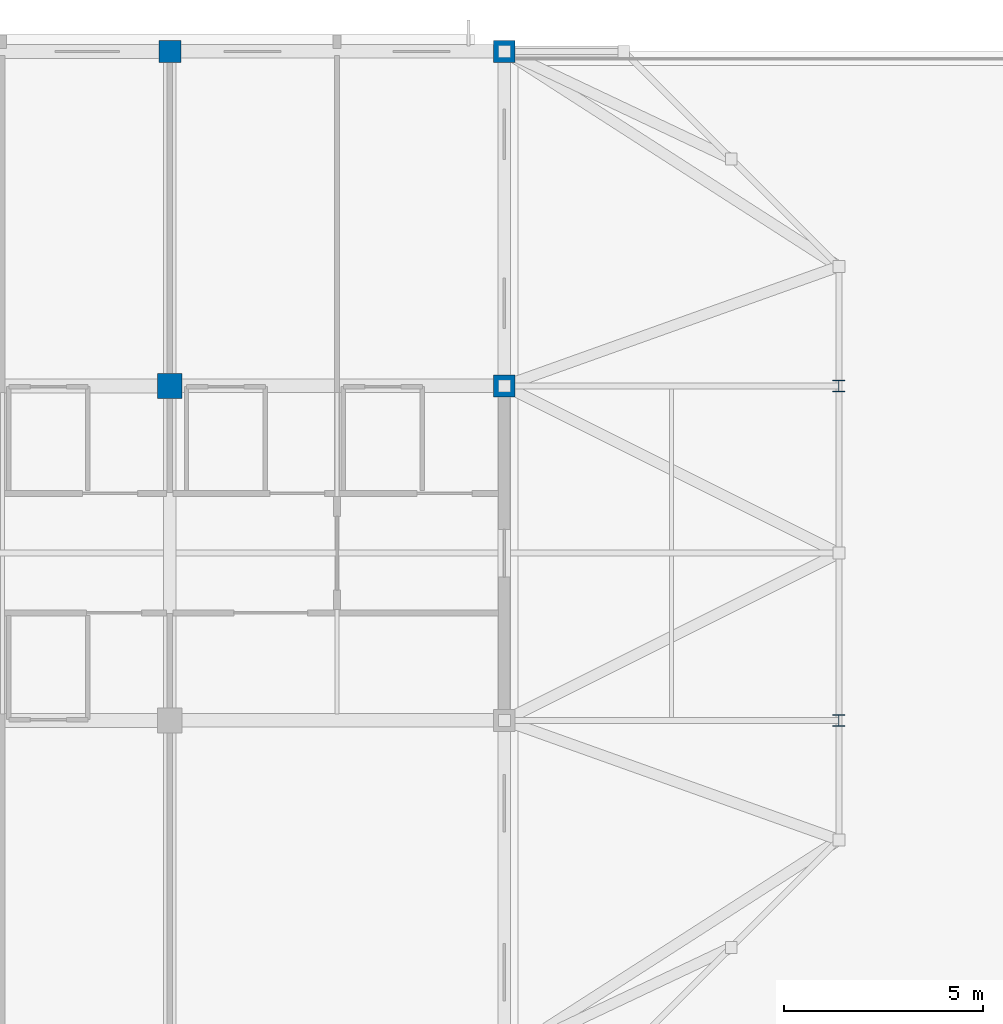
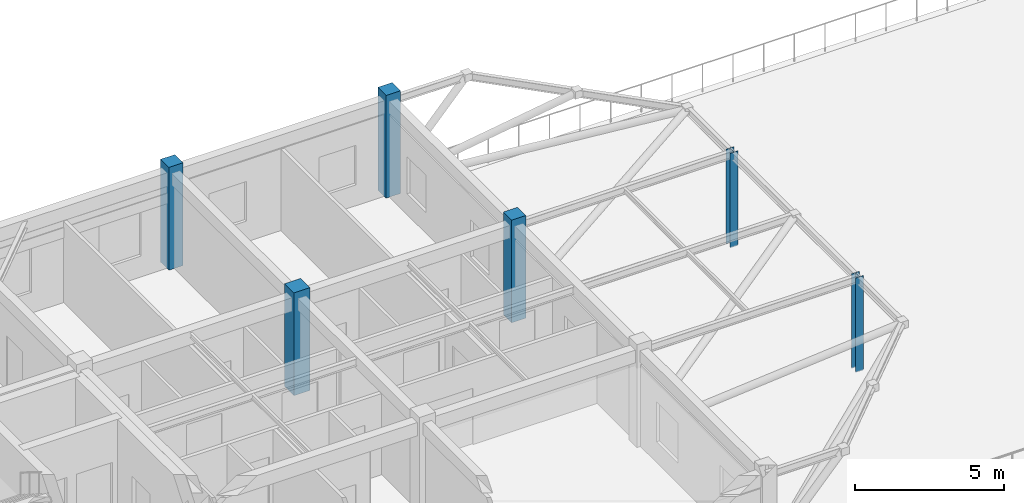
# One storey, part 2 of 21: 6 columns.
"""IFC4 building model written with IfcOpenShell, lengths in metres."""

from ifc_helpers import new_model, si_unit, direction, frame, origin, origin_2d, place, context, subcontext, project, spatial, rectangle, i_section, extrude, material, material_profile, profile_set, type_object, element, save


model = new_model("IFC4")

# Units and contexts
model_context = context("Model", 3, precision=1e-05, world=origin(), true_north=direction((0.0, 1.0)))
body_context = subcontext(model_context, "Body", "Model", "MODEL_VIEW")
ifc_project = project(units=[si_unit("LENGTHUNIT", "METRE"), si_unit("AREAUNIT", "SQUARE_METRE"), si_unit("VOLUMEUNIT", "CUBIC_METRE"), si_unit("PLANEANGLEUNIT", "RADIAN"), si_unit("MASSUNIT", "GRAM", prefix="KILO")], contexts=[model_context])

# Site, building, storey
site_placement = place(None, origin())
site = spatial("IfcSite", under=ifc_project, at=site_placement, CompositionType="ELEMENT")
building_placement = place(site_placement, origin())
building = spatial("IfcBuilding", under=site, at=building_placement, Name="Trelvath General Hospital", CompositionType="ELEMENT")
storey_placement = place(building_placement, frame((0.0, 0.0, 28.800048828125)))
storey = spatial("IfcBuildingStorey", under=building, at=storey_placement, Name="L07", CompositionType="ELEMENT", Elevation=28.800048828125)

# Columns
ifc_material_1 = material(Name="Concrete C40/50", Category="concrete")
ifc_material_profile_1 = material_profile(ifc_material_1, rectangle(XDim=0.550048828125, YDim=0.550048828125, at=origin_2d()), Name="RC550x550")
ifc_profile_set_1 = profile_set([ifc_material_profile_1], Name="Concrete C40/50")
column_type_1 = type_object("IfcColumnType", Name="Column RC550", PredefinedType="COLUMN", material=ifc_profile_set_1)
for number, where, z_axis, x_axis, name in (
    (1, (100.800048828125, 117.60009765625, 0.0), (0.0, 0.0, 1.0), (1.0, 0.0, 0.0), "Column C-13O L07"),
    (2, (109.199951171875, 109.199951171875, 0.0), (0.0, 0.0, 1.0), (1.0, 0.0, 0.0), "Column C-14N L07"),
    (3, (109.199951171875, 117.60009765625, 0.0), (0.0, 0.0, 1.0), (1.0, 0.0, 0.0), "Column C-14O L07"),
):
    element("IfcColumn", number, at=place(storey_placement, frame(where, z_axis=z_axis, x_axis=x_axis)), inside=storey, type_object=column_type_1, Name=name, PredefinedType="COLUMN", context=body_context, shape_type="SweptSolid", body=[
        extrude(rectangle(XDim=0.550048828125, YDim=0.550048828125, at=origin_2d()), origin(), (0.0, 0.0, 1.0), 4.199951171875),
    ])
ifc_material_2 = material(Name="Concrete C40/50", Category="concrete")
ifc_material_profile_2 = material_profile(ifc_material_2, rectangle(XDim=0.6201171875, YDim=0.6201171875, at=origin_2d()), Name="RC620x620")
ifc_profile_set_2 = profile_set([ifc_material_profile_2], Name="Concrete C40/50")
column_type_2 = type_object("IfcColumnType", Name="Column RC620", PredefinedType="COLUMN", material=ifc_profile_set_2)
column_placement = place(storey_placement, frame((100.800048828125, 109.199951171875, 0.0), z_axis=(0.0, 0.0, 1.0), x_axis=(1.0, 0.0, 0.0)))
element("IfcColumn", 4, at=column_placement, inside=storey, type_object=column_type_2, Name="Column C-13N L07", PredefinedType="COLUMN", context=body_context, shape_type="SweptSolid", body=[
    extrude(rectangle(XDim=0.6201171875, YDim=0.6201171875, at=origin_2d()), origin(), (0.0, 0.0, 1.0), 4.199951171875),
])
ifc_material_3 = material(Name="Steel S355", Category="steel")
ifc_material_profile_3 = material_profile(ifc_material_3, i_section(OverallWidth=0.300048828125, OverallDepth=0.2900390625, WebThickness=0.008544921875, FlangeThickness=0.013916015625, at=origin_2d()), Name="HEA300")
ifc_profile_set_3 = profile_set([ifc_material_profile_3], Name="Steel S355")
column_type_3 = type_object("IfcColumnType", Name="HelipadColumn HEA300", PredefinedType="COLUMN", material=ifc_profile_set_3)
for number, where, z_axis, x_axis, name in (
    (5, (117.60009765625, 100.800048828125, 0.0), (0.0, 0.0, 1.0), (1.0, 0.0, 0.0), "Helipad Support Steel Column 15M"),
    (6, (117.60009765625, 109.199951171875, 0.0), (0.0, 0.0, 1.0), (1.0, 0.0, 0.0), "Helipad Support Steel Column 15N"),
):
    element("IfcColumn", number, at=place(storey_placement, frame(where, z_axis=z_axis, x_axis=x_axis)), inside=storey, type_object=column_type_3, Name=name, PredefinedType="COLUMN", context=body_context, shape_type="SweptSolid", body=[
        extrude(i_section(OverallWidth=0.300048828125, OverallDepth=0.2900390625, WebThickness=0.008544921875, FlangeThickness=0.013916015625, at=origin_2d()), origin(), (0.0, 0.0, 1.0), 3.85986328125),
    ])

save(model, "model.ifc")
